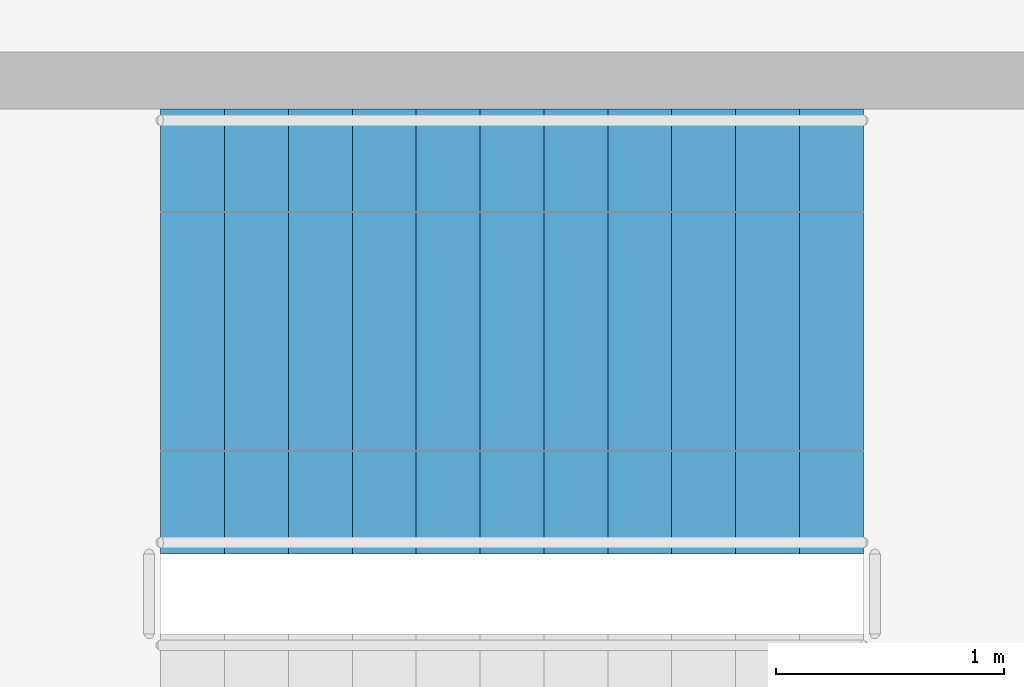
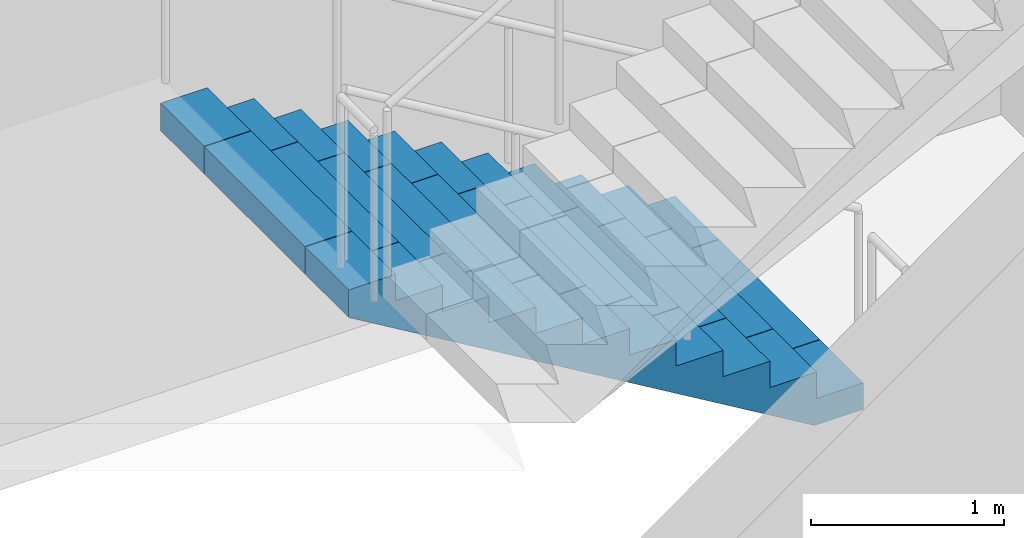
# One storey, part 13 of 15: 1 stair flight, 1 element without a shape of its own.
"""IFC4 building model written with IfcOpenShell, lengths in metres."""

import ifcopenshell
import ifcopenshell.guid

model = None  # the IFC model being written
_history = None  # IfcOwnerHistory: only IFC2X3 demands one
_inside = {}  # id of a spatial element -> (the spatial element, [elements in it])
_under = {}  # id of a project, library or spatial element -> (it, [spatial elements below it])
_declared = {}  # id of a project -> (the project, [libraries it declares])
_typed = {}  # id of a type object -> (the type object, [elements of that type])
_made_of = {}  # id of a material, layer set ... -> (it, [elements and type objects made of it])


def new_model(schema):
    """Start an empty IFC model of exactly this schema.

    Asked for "IFC4X3", IfcOpenShell would pick the latest addendum, in which some entities
    have other attributes; the version numbers below select the first issue.
    IFC2X3 requires an IfcOwnerHistory on every rooted entity: one is made here for all.
    """
    global model, _history
    if schema == "IFC4X3":
        model = ifcopenshell.file(schema_version=(4, 3, 0, 0))
    else:
        model = ifcopenshell.file(schema=schema)
    _inside.clear()
    _under.clear()
    _declared.clear()
    _typed.clear()
    _made_of.clear()
    _history = None
    if model.schema == "IFC2X3":
        org = make("IfcOrganization", Name="unknown")
        user = make(
            "IfcPersonAndOrganization",
            ThePerson=make("IfcPerson", FamilyName="unknown"),
            TheOrganization=org,
        )
        app = make(
            "IfcApplication",
            ApplicationDeveloper=org,
            Version="unknown",
            ApplicationFullName="unknown",
            ApplicationIdentifier="unknown",
        )
        _history = make(
            "IfcOwnerHistory",
            OwningUser=user,
            OwningApplication=app,
            ChangeAction="ADDED",
            CreationDate=0,
        )
    return model


def make(cls, **values):
    """One entity of the class cls with the attributes given. An attribute that is None is left unset."""
    return model.create_entity(
        cls, **{name: value for name, value in values.items() if value is not None}
    )


def rooted(cls, **values):
    """An entity with a GlobalId (a new one), such as an element, a storey or a relation."""
    return make(cls, GlobalId=ifcopenshell.guid.new(), OwnerHistory=_history, **values)


def si_unit(unit_type, name, prefix=None):
    """IfcSIUnit, for example si_unit("LENGTHUNIT", "METRE", prefix="MILLI")."""
    return make("IfcSIUnit", UnitType=unit_type, Prefix=prefix, Name=name)


def assignment(units):
    """IfcUnitAssignment: the units of a project."""
    return None if units is None else make("IfcUnitAssignment", Units=units)


def point(xyz):
    """IfcCartesianPoint."""
    return None if xyz is None else make("IfcCartesianPoint", Coordinates=xyz)


def direction(xyz):
    """IfcDirection."""
    return None if xyz is None else make("IfcDirection", DirectionRatios=xyz)


def frame(location, z_axis=None, x_axis=None):
    """IfcAxis2Placement3D, a coordinate frame: its origin and axes. An axis left out is left unset."""
    return make(
        "IfcAxis2Placement3D",
        Location=point(location),
        Axis=direction(z_axis),
        RefDirection=direction(x_axis),
    )


def origin():
    """The frame at (0, 0, 0) with its axes left unset."""
    return frame((0.0, 0.0, 0.0))


def place(relative_to, where):
    """IfcLocalPlacement: puts the frame where relative to a parent placement (None: the world)."""
    return make(
        "IfcLocalPlacement", PlacementRelTo=relative_to, RelativePlacement=where
    )


def context(
    kind, dimensions, precision=None, world=None, true_north=None, identifier=None
):
    """IfcGeometricRepresentationContext, for example the 3D "Model" context."""
    return make(
        "IfcGeometricRepresentationContext",
        ContextIdentifier=identifier,
        ContextType=kind,
        CoordinateSpaceDimension=dimensions,
        Precision=precision,
        WorldCoordinateSystem=world,
        TrueNorth=true_north,
    )


def subcontext(parent, identifier, kind, view, scale=None):
    """IfcGeometricRepresentationSubContext, for example "Body" below "Model"."""
    return make(
        "IfcGeometricRepresentationSubContext",
        ContextIdentifier=identifier,
        ContextType=kind,
        ParentContext=parent,
        TargetScale=scale,
        TargetView=view,
    )


def project(units=None, contexts=None):
    """IfcProject with its units and contexts."""
    return rooted(
        "IfcProject",
        Name="project",
        RepresentationContexts=contexts,
        UnitsInContext=assignment(units),
    )


def spatial(cls, under=None, at=None, **own):
    """A site, building, storey or space (cls), placed at a placement, below another one or the project."""
    s = rooted(cls, ObjectPlacement=at, **own)
    if under is not None:
        _under.setdefault(under.id(), (under, []))[1].append(s)
    return s


def polyline(points):
    """IfcPolyline through the points."""
    return make("IfcPolyline", Points=[point(p) for p in points])


def outline(outer, holes=None, kind="AREA"):
    """IfcArbitraryClosedProfileDef: a profile drawn as a closed curve; with holes, ...WithVoids."""
    if holes is None:
        return make("IfcArbitraryClosedProfileDef", ProfileType=kind, OuterCurve=outer)
    return make(
        "IfcArbitraryProfileDefWithVoids",
        ProfileType=kind,
        OuterCurve=outer,
        InnerCurves=holes,
    )


def extrude(swept, where, along, depth):
    """IfcExtrudedAreaSolid: the profile swept, set in the frame where, extruded along a direction by depth."""
    return make(
        "IfcExtrudedAreaSolid",
        SweptArea=swept,
        Position=where,
        ExtrudedDirection=direction(along),
        Depth=depth,
    )


def shape(context_of_items, identifier, shape_type, items):
    """IfcShapeRepresentation: the items that make up one representation, for example the "Body"."""
    return make(
        "IfcShapeRepresentation",
        ContextOfItems=context_of_items,
        RepresentationIdentifier=identifier,
        RepresentationType=shape_type,
        Items=items,
    )


def material(Name=None, Category=None):
    """IfcMaterial."""
    return make("IfcMaterial", Name=Name, Category=Category)


def made_of(thing, what):
    """Note that an element or type object is made of a material, layer set ...; save() writes the relation."""
    if what is not None:
        _made_of.setdefault(what.id(), (what, []))[1].append(thing)
    return thing


def type_object(cls, material=None, **own):
    """A type object (cls), such as IfcWallType, which elements share."""
    return made_of(rooted(cls, **own), material)


def element(
    cls,
    number,
    at=None,
    inside=None,
    cuts=None,
    type_object=None,
    material=None,
    context=None,
    identifier="Body",
    shape_type=None,
    held_by="IfcProductDefinitionShape",
    body=None,
    shapes=None,
    **own,
):
    """One element of the class cls, such as IfcWall. Its Tag is "e" and its number.

    at: its placement. inside: the storey or other place that contains it. cuts: it is an
    opening in that element (IfcRelVoidsElement). A single representation is given by context,
    identifier, shape_type and body (its items); several are given by shapes. held_by: the class
    of the entity that holds the representations. save() writes the other relations.
    """
    e = rooted(cls, Tag="e%d" % number, ObjectPlacement=at, **own)
    if body is not None:
        shapes = [shape(context, identifier, shape_type, body)]
    if shapes is not None:
        e.Representation = make(held_by, Representations=shapes)
    if inside is not None:
        _inside.setdefault(inside.id(), (inside, []))[1].append(e)
    if cuts is not None:
        rooted(
            "IfcRelVoidsElement", RelatingBuildingElement=cuts, RelatedOpeningElement=e
        )
    if type_object is not None:
        _typed.setdefault(type_object.id(), (type_object, []))[1].append(e)
    return made_of(e, material)


def aggregate(whole, parts):
    """IfcRelAggregates: a whole, such as a stair, and the parts it consists of."""
    return rooted("IfcRelAggregates", RelatingObject=whole, RelatedObjects=parts)


def save(model, path):
    """Write the relations noted so far, then the file.

    IfcRelAggregates (storeys below a building ...), IfcRelContainedInSpatialStructure (elements
    in a storey), IfcRelDefinesByType, IfcRelAssociatesMaterial and IfcRelDeclares: one each for
    every whole, place, type object, material and project.
    """
    for whole, parts in _under.values():
        aggregate(whole, parts)
    for where, things in _inside.values():
        rooted(
            "IfcRelContainedInSpatialStructure",
            RelatedElements=things,
            RelatingStructure=where,
        )
    for kind, things in _typed.values():
        rooted("IfcRelDefinesByType", RelatedObjects=things, RelatingType=kind)
    for what, things in _made_of.values():
        rooted("IfcRelAssociatesMaterial", RelatedObjects=things, RelatingMaterial=what)
    for by, libraries in _declared.values():
        rooted("IfcRelDeclares", RelatingContext=by, RelatedDefinitions=libraries)
    model.write(path)


model = new_model("IFC4")

# Units and contexts
model_context = context("Model", 3, precision=1e-05, world=origin(), true_north=direction((0.0, 1.0)))
body_context = subcontext(model_context, "Body", "Model", "MODEL_VIEW")
ifc_project = project(units=[si_unit("LENGTHUNIT", "METRE"), si_unit("AREAUNIT", "SQUARE_METRE"), si_unit("VOLUMEUNIT", "CUBIC_METRE"), si_unit("PLANEANGLEUNIT", "RADIAN"), si_unit("MASSUNIT", "GRAM", prefix="KILO")], contexts=[model_context])

# Site, building, storey
site_placement = place(None, origin())
site = spatial("IfcSite", under=ifc_project, at=site_placement, CompositionType="ELEMENT")
building_placement = place(site_placement, origin())
building = spatial("IfcBuilding", under=site, at=building_placement, Name="Corbelhall Arena Tower", CompositionType="ELEMENT")
storey_placement = place(building_placement, frame((0.0, 0.0, 216.0)))
storey = spatial("IfcBuildingStorey", under=building, at=storey_placement, Name="L45", CompositionType="ELEMENT", Elevation=216.0)

# Stair, stair flight
ifc_material = material(Name="Concrete C40/50", Category="concrete")
stair_type = type_object("IfcStairType", Name="IN-ST-TOWER", PredefinedType="HALF_TURN_STAIR", material=ifc_material)
stair_placement = place(storey_placement, origin())
stair = element("IfcStair", 1, at=stair_placement, inside=storey, type_object=stair_type, Name="L45 Exit stair ST3", PredefinedType="HALF_TURN_STAIR")
stair_flight_type = type_object("IfcStairFlightType", Name="IN-SFL-RC", PredefinedType="STRAIGHT", material=ifc_material)
stair_flight_placement = place(storey_placement, frame((11.425048828125, 15.699951171875, 0.0), z_axis=(0.0, 0.0, 1.0), x_axis=(-1.0, 0.0, 0.0)))
stair_flight = element("IfcStairFlight", 2, at=stair_flight_placement, type_object=stair_flight_type, Name="ST3 flight 1", NumberOfRisers=12, NumberOfTreads=11, PredefinedType="STRAIGHT", RiserHeight=0.166666667, TreadLength=0.28, context=body_context, shape_type="SweptSolid", body=[
    extrude(outline(polyline([(0.0, 0.0), (0.0, 0.166748046875), (0.280029296875, 0.166748046875), (0.280029296875, 0.333251953125), (0.56005859375, 0.333251953125), (0.56005859375, 0.5), (0.840087890625, 0.5), (0.840087890625, 0.666748046875), (1.1201171875, 0.666748046875), (1.1201171875, 0.833251953125), (1.39990234375, 0.833251953125), (1.39990234375, 1.0), (1.679931640625, 1.0), (1.679931640625, 1.166748046875), (1.9599609375, 1.166748046875), (1.9599609375, 1.333251953125), (2.239990234375, 1.333251953125), (2.239990234375, 1.5), (2.52001953125, 1.5), (2.52001953125, 1.666748046875), (2.800048828125, 1.666748046875), (2.800048828125, 1.833251953125), (3.080078125, 1.833251953125), (3.080078125, 2.0), (3.080078125, 1.658935546875), (0.29296875, 0.0), (0.0, 0.0)])), frame((0.0, 0.97509765625, 0.0), z_axis=(0.0, -1.0, 0.0), x_axis=(1.0, 0.0, 0.0)), (0.0, 0.0, 1.0), 0.449951171875),
    extrude(outline(polyline([(0.0, 0.0), (0.0, 0.166748046875), (0.280029296875, 0.166748046875), (0.280029296875, 0.333251953125), (0.56005859375, 0.333251953125), (0.56005859375, 0.5), (0.840087890625, 0.5), (0.840087890625, 0.666748046875), (1.1201171875, 0.666748046875), (1.1201171875, 0.833251953125), (1.39990234375, 0.833251953125), (1.39990234375, 1.0), (1.679931640625, 1.0), (1.679931640625, 1.166748046875), (1.9599609375, 1.166748046875), (1.9599609375, 1.333251953125), (2.239990234375, 1.333251953125), (2.239990234375, 1.5), (2.52001953125, 1.5), (2.52001953125, 1.666748046875), (2.800048828125, 1.666748046875), (2.800048828125, 1.833251953125), (3.080078125, 1.833251953125), (3.080078125, 2.0), (3.080078125, 1.658935546875), (0.29296875, 0.0), (0.0, 0.0)])), frame((0.0, 0.52099609375, 0.0), z_axis=(0.0, -1.0, 0.0), x_axis=(1.0, 0.0, 0.0)), (0.0, 0.0, 1.0), 1.0419921875),
    extrude(outline(polyline([(0.0, 0.0), (0.0, 0.166748046875), (0.280029296875, 0.166748046875), (0.280029296875, 0.333251953125), (0.56005859375, 0.333251953125), (0.56005859375, 0.5), (0.840087890625, 0.5), (0.840087890625, 0.666748046875), (1.1201171875, 0.666748046875), (1.1201171875, 0.833251953125), (1.39990234375, 0.833251953125), (1.39990234375, 1.0), (1.679931640625, 1.0), (1.679931640625, 1.166748046875), (1.9599609375, 1.166748046875), (1.9599609375, 1.333251953125), (2.239990234375, 1.333251953125), (2.239990234375, 1.5), (2.52001953125, 1.5), (2.52001953125, 1.666748046875), (2.800048828125, 1.666748046875), (2.800048828125, 1.833251953125), (3.080078125, 1.833251953125), (3.080078125, 2.0), (3.080078125, 1.658935546875), (0.29296875, 0.0), (0.0, 0.0)])), frame((0.0, -0.52490234375, 0.0), z_axis=(0.0, -1.0, 0.0), x_axis=(1.0, 0.0, 0.0)), (0.0, 0.0, 1.0), 0.449951171875),
])
aggregate(stair, [stair_flight])

save(model, "model.ifc")
